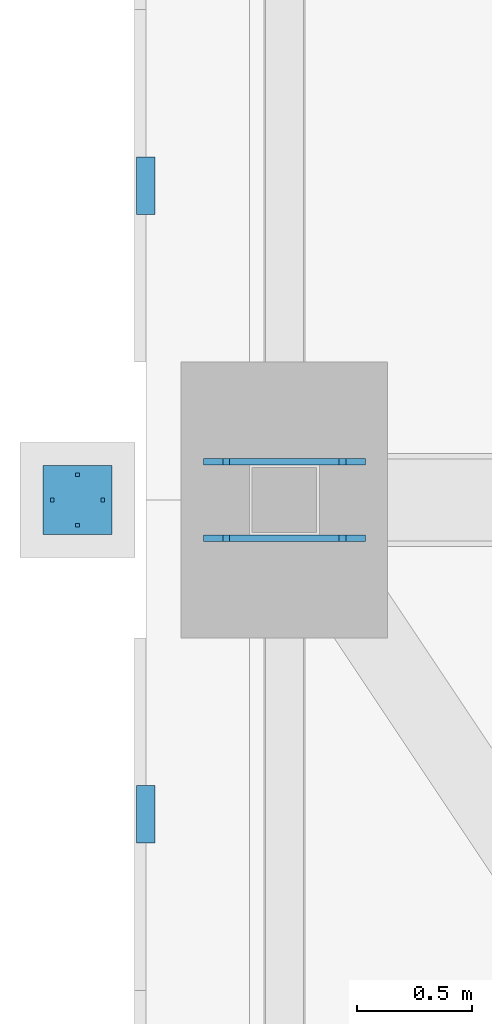
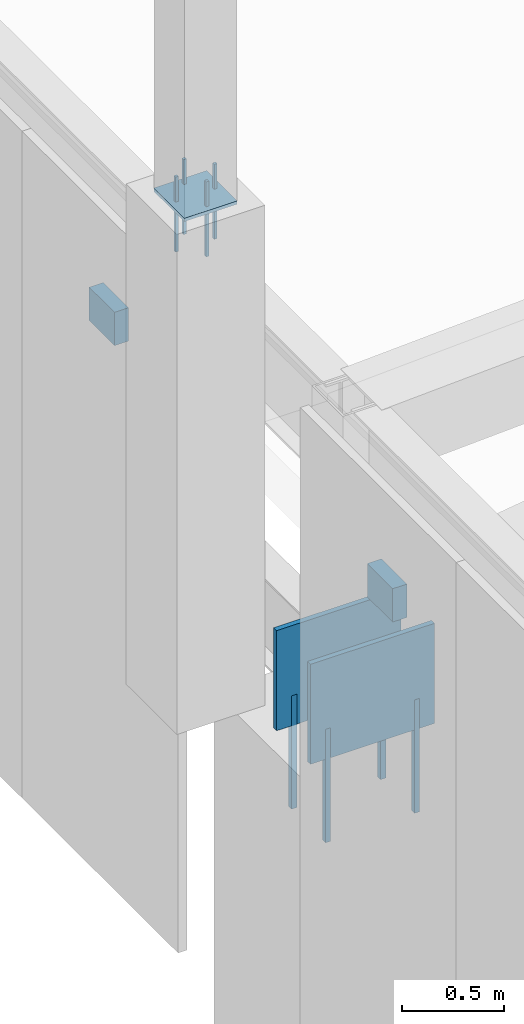
# One storey, part 149 of 278: 8 mechanical fasteners, 5 discrete accessories.
"""IFC4 building model written with IfcOpenShell, lengths in metres."""

from ifc_helpers import new_model, si_unit, direction, frame, origin, origin_2d, place, context, subcontext, project, spatial, rectangle, extrude, material, layer, layer_set, type_object, element, save


model = new_model("IFC4")

# Units and contexts
model_context = context("Model", 3, precision=1e-05, world=origin(), true_north=direction((0.0, 1.0)))
body_context = subcontext(model_context, "Body", "Model", "MODEL_VIEW")
ifc_project = project(units=[si_unit("LENGTHUNIT", "METRE"), si_unit("AREAUNIT", "SQUARE_METRE"), si_unit("VOLUMEUNIT", "CUBIC_METRE"), si_unit("PLANEANGLEUNIT", "RADIAN"), si_unit("MASSUNIT", "GRAM", prefix="KILO")], contexts=[model_context])

# Site, building, storey
site_placement = place(None, origin())
site = spatial("IfcSite", under=ifc_project, at=site_placement, CompositionType="ELEMENT")
building_placement = place(site_placement, origin())
building = spatial("IfcBuilding", under=site, at=building_placement, Name="Ogive Plaza Stadium", CompositionType="ELEMENT")
storey_placement = place(building_placement, frame((0.0, 0.0, 29.0)))
storey = spatial("IfcBuildingStorey", under=building, at=storey_placement, Name="Roof", CompositionType="ELEMENT", Elevation=29.0)

# Mechanical fasteners
ifc_material_1 = material(Name="Steel ASTM A992 Grade 50", Category="steel")
mechanical_fastener_type_1 = type_object("IfcMechanicalFastenerType", Name="Anchor bolt M30 x 600", PredefinedType="ANCHORBOLT", material=ifc_material_1)
for number, where, z_axis, x_axis, name in (
    (1, (-84.25244140625, -37.66650390625, 3.0), (0.0, 0.0, 1.0), (-1.0, 0.0, 0.0), "ANCHOR BOLT 22 BF 1.1"),
    (2, (-83.74755859375, -37.66650390625, 3.0), (0.0, 0.0, 1.0), (-1.0, 0.0, 0.0), "ANCHOR BOLT 22 BF 1.2"),
    (3, (-84.25244140625, -37.33349609375, 3.0), (0.0, 0.0, 1.0), (-1.0, 0.0, 0.0), "ANCHOR BOLT 22 BF 2.1"),
    (4, (-83.74755859375, -37.33349609375, 3.0), (0.0, 0.0, 1.0), (-1.0, 0.0, 0.0), "ANCHOR BOLT 22 BF 2.2"),
):
    element("IfcMechanicalFastener", number, at=place(storey_placement, frame(where, z_axis=z_axis, x_axis=x_axis)), inside=storey, type_object=mechanical_fastener_type_1, Name=name, PredefinedType="ANCHORBOLT", context=body_context, shape_type="SweptSolid", body=[
        extrude(rectangle(XDim=0.030029296875, YDim=0.030029296875, at=origin_2d()), origin(), (0.0, 0.0, 1.0), 0.679931640625),
    ])
ifc_material_2 = material(Name="Steel ASTM A992 Grade 50", Category="steel")
mechanical_fastener_type_2 = type_object("IfcMechanicalFastenerType", Name="Spire anchor bolt M16 x 450", PredefinedType="ANCHORBOLT", material=ifc_material_2)
for number, where, z_axis, x_axis, name in (
    (5, (-85.010009765625, -37.5, 6.7001953125), (0.0, 0.0, 1.0), (-1.0, 0.0, 0.0), "SPIRE ANCHOR BOLT 22 1"),
    (6, (-84.7900390625, -37.5, 6.7001953125), (0.0, 0.0, 1.0), (-1.0, 0.0, 0.0), "SPIRE ANCHOR BOLT 22 2"),
    (7, (-84.89990234375, -37.610107421875, 6.7001953125), (0.0, 0.0, 1.0), (-1.0, 0.0, 0.0), "SPIRE ANCHOR BOLT 22 3"),
    (8, (-84.89990234375, -37.389892578125, 6.7001953125), (0.0, 0.0, 1.0), (-1.0, 0.0, 0.0), "SPIRE ANCHOR BOLT 22 4"),
):
    element("IfcMechanicalFastener", number, at=place(storey_placement, frame(where, z_axis=z_axis, x_axis=x_axis)), inside=storey, type_object=mechanical_fastener_type_2, Name=name, PredefinedType="ANCHORBOLT", context=body_context, shape_type="SweptSolid", body=[
        extrude(rectangle(XDim=0.01611328125, YDim=0.01611328125, at=origin_2d()), origin(), (0.0, 0.0, 1.0), 0.449951171875),
    ])

# Discrete accessories
ifc_material_3 = material(Name="Steel ASTM A992 Grade 50", Category="steel")
ifc_layer_1 = layer(ifc_material_3, 0.02001953125)
ifc_layer_set_1 = layer_set([ifc_layer_1], Name="Steel ASTM A992 Grade 50")
discrete_accessory_type_1 = type_object("IfcDiscreteAccessoryType", Name="Spire seat plate 20", PredefinedType="ANCHORPLATE", material=ifc_layer_set_1)
discrete_accessory_placement = place(storey_placement, frame((-84.89990234375, -37.5, 6.98095703125), z_axis=(0.0, 0.0, 1.0), x_axis=(-1.0, 0.0, 0.0)))
element("IfcDiscreteAccessory", 9, at=discrete_accessory_placement, inside=storey, type_object=discrete_accessory_type_1, Name="SPIRE SEAT PLATE 22", PredefinedType="ANCHORPLATE", context=body_context, shape_type="SweptSolid", body=[
    extrude(rectangle(XDim=0.300048828125, YDim=0.300048828125, at=origin_2d()), origin(), (0.0, 0.0, 1.0), 0.02001953125),
])
ifc_material_4 = material(Name="Steel ASTM A572 Grade 50", Category="steel")
ifc_layer_2 = layer(ifc_material_4, 0.080078125)
ifc_layer_set_2 = layer_set([ifc_layer_2], Name="Steel ASTM A572 Grade 50")
discrete_accessory_type_2 = type_object("IfcDiscreteAccessoryType", Name="Tracery screen bracket 250x200", PredefinedType="BRACKET", material=ifc_layer_set_2)
for number, where, z_axis, x_axis, name in (
    (10, (-84.602294921875, -38.86669921875, 5.25), (0.0, 0.0, 1.0), (0.0, 1.0, 0.0), "TRACERY SCREEN BRACKET B21 9"),
    (11, (-84.602294921875, -36.13330078125, 5.25), (0.0, 0.0, 1.0), (0.0, 1.0, 0.0), "TRACERY SCREEN BRACKET B22 1"),
):
    element("IfcDiscreteAccessory", number, at=place(storey_placement, frame(where, z_axis=z_axis, x_axis=x_axis)), inside=storey, type_object=discrete_accessory_type_2, Name=name, PredefinedType="BRACKET", context=body_context, shape_type="SweptSolid", body=[
        extrude(rectangle(XDim=0.25, YDim=0.080078125, at=origin_2d()), origin(), (0.0, 0.0, 1.0), 0.199951171875),
    ])
ifc_material_5 = material(Name="Steel ASTM A992 Grade 50", Category="steel")
ifc_layer_3 = layer(ifc_material_5, 0.030029296875)
ifc_layer_set_3 = layer_set([ifc_layer_3], Name="Steel ASTM A992 Grade 50")
discrete_accessory_type_3 = type_object("IfcDiscreteAccessoryType", Name="Truss back-stay foot cleat plate 30", PredefinedType="ANCHORPLATE", material=ifc_layer_set_3)
for number, where, z_axis, x_axis, name in (
    (12, (-84.0, -37.66650390625, 3.5), (0.0, 0.0, 1.0), (-1.0, 0.0, 0.0), "TRUSS BACK-STAY FOOT CLEAT PLATE 22 1"),
    (13, (-84.0, -37.33349609375, 3.5), (0.0, 0.0, 1.0), (-1.0, 0.0, 0.0), "TRUSS BACK-STAY FOOT CLEAT PLATE 22 2"),
):
    element("IfcDiscreteAccessory", number, at=place(storey_placement, frame(where, z_axis=z_axis, x_axis=x_axis)), inside=storey, type_object=discrete_accessory_type_3, Name=name, PredefinedType="ANCHORPLATE", context=body_context, shape_type="SweptSolid", body=[
        extrude(rectangle(XDim=0.704833984375, YDim=0.030029296875, at=origin_2d()), origin(), (0.0, 0.0, 1.0), 0.60009765625),
    ])

save(model, "model.ifc")
